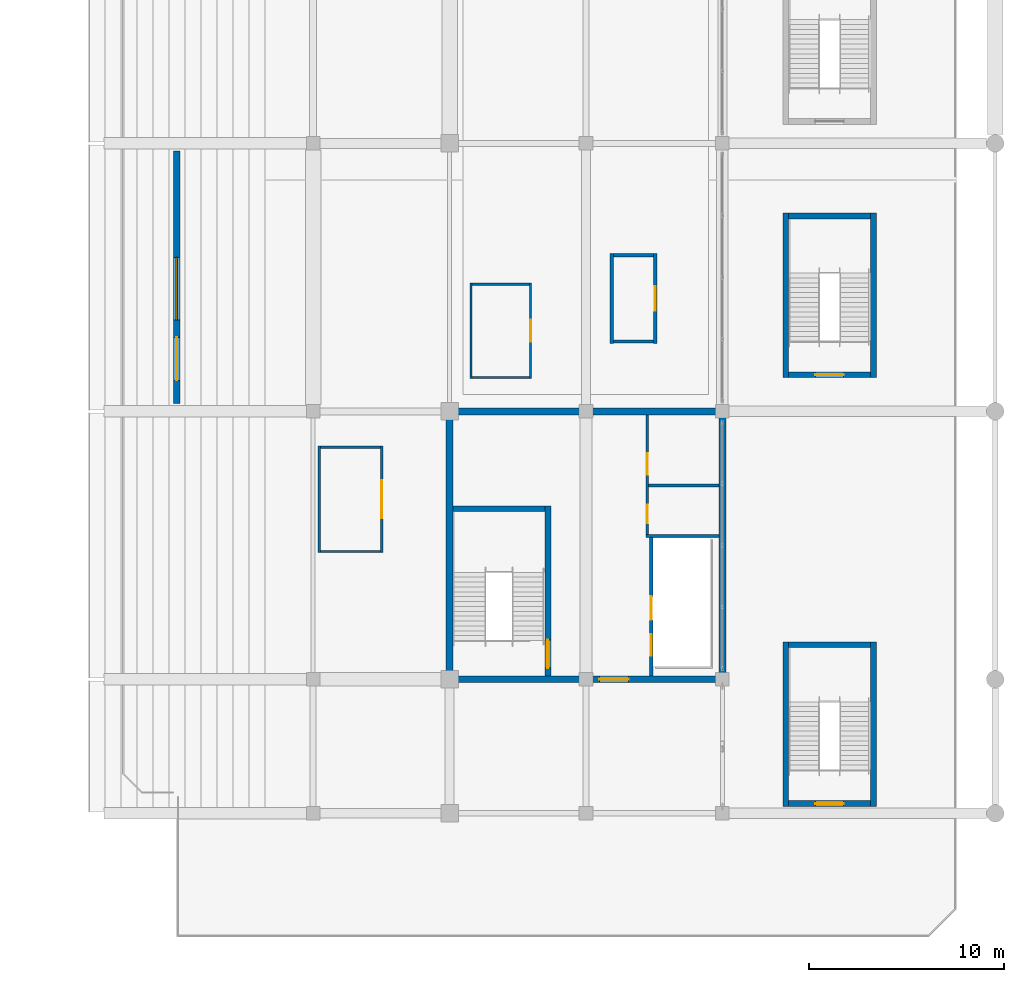
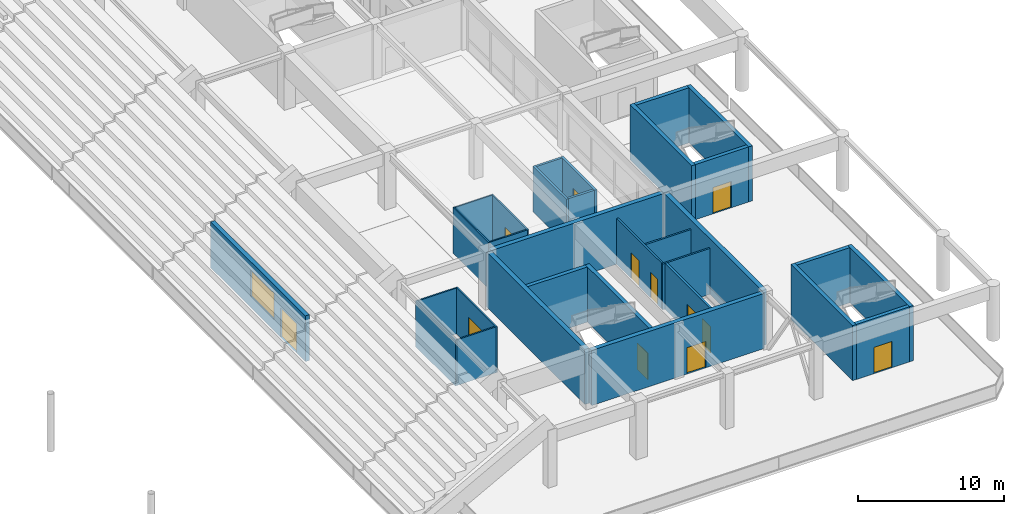
# One storey, part 73 of 94: 31 walls, 12 doors, 1 window, 13 openings.
"""IFC4 building model written with IfcOpenShell, lengths in metres."""

from ifc_helpers import new_model, si_unit, direction, frame, frame_2d, origin, place, context, subcontext, project, spatial, rectangle, extrude, material, layer, layer_set, type_object, element, fill, save


model = new_model("IFC4")

# Units and contexts
model_context = context("Model", 3, precision=1e-05, world=origin(), true_north=direction((0.0, 1.0)))
body_context = subcontext(model_context, "Body", "Model", "MODEL_VIEW")
ifc_project = project(units=[si_unit("LENGTHUNIT", "METRE"), si_unit("AREAUNIT", "SQUARE_METRE"), si_unit("VOLUMEUNIT", "CUBIC_METRE"), si_unit("PLANEANGLEUNIT", "RADIAN"), si_unit("MASSUNIT", "GRAM", prefix="KILO")], contexts=[model_context])

# Site, building, storey
site_placement = place(None, origin())
site = spatial("IfcSite", under=ifc_project, at=site_placement, CompositionType="ELEMENT")
building_placement = place(site_placement, origin())
building = spatial("IfcBuilding", under=site, at=building_placement, Name="Linyun Crest Stadium", CompositionType="ELEMENT")
storey_placement = place(building_placement, frame((0.0, 0.0, 16.199951171875)))
storey = spatial("IfcBuildingStorey", under=building, at=storey_placement, Name="L04", CompositionType="ELEMENT", Elevation=16.199951171875)

# Walls
ifc_material_1 = material(Name="Concrete C50", Category="concrete")
ifc_layer_1 = layer(ifc_material_1, 0.35009765625)
ifc_layer_set_1 = layer_set([ifc_layer_1], Name="Concrete C50")
wall_type_1 = type_object("IfcWallType", Name="CW01", PredefinedType="SHEAR", material=ifc_layer_set_1)
for number, where, z_axis, x_axis, name in (
    (1, (70.0, -38.949951171875, 0.0), (0.0, 0.0, 1.0), (0.0, 1.0, 0.0), "Core shear wall CW01 CORE-E1 L04.1"),
    (2, (84.0, -38.949951171875, 0.0), (0.0, 0.0, 1.0), (0.0, 1.0, 0.0), "Core shear wall CW01 CORE-E1 L04.2"),
):
    element("IfcWall", number, at=place(storey_placement, frame(where, z_axis=z_axis, x_axis=x_axis)), inside=storey, type_object=wall_type_1, Name=name, PredefinedType="SHEAR", context=body_context, shape_type="SweptSolid", body=[
        extrude(rectangle(XDim=13.39990234375, YDim=0.35009765625, at=frame_2d((6.699951171875, 0.0))), origin(), (0.0, 0.0, 1.0), 4.60009765625),
    ])

# Wall, opening, door
wall_1_placement = place(storey_placement, frame((70.175048828125, -39.125, 0.0), z_axis=(0.0, 0.0, 1.0), x_axis=(1.0, 0.0, 0.0)))
wall_1 = element("IfcWall", 3, at=wall_1_placement, inside=storey, type_object=wall_type_1, Name="Core shear wall CW01 CORE-E1 L04.3", PredefinedType="SHEAR", context=body_context, shape_type="SweptSolid", body=[
    extrude(rectangle(XDim=13.64990234375, YDim=0.35009765625, at=frame_2d((6.824951171875, 0.0))), origin(), (0.0, 0.0, 1.0), 4.60009765625),
])
opening_1_placement = place(wall_1_placement, frame((7.508056640625, 0.0, 0.0)))
opening_1 = element("IfcOpeningElement", 4, at=opening_1_placement, cuts=wall_1, Name="Opening D-L04-172", PredefinedType="OPENING", context=body_context, shape_type="SweptSolid", body=[
    extrude(rectangle(XDim=1.5, YDim=2.199951171875, at=frame_2d((0.75, 1.10009765625))), frame((0.0, 0.18505859375, 0.0), z_axis=(0.0, -1.0, 0.0), x_axis=(1.0, 0.0, 0.0)), (0.0, 0.0, 1.0), 0.3701171875),
])
ifc_material_2 = material(Name="Galvanized steel Class A fire door", Category="steel")
ifc_layer_2 = layer(ifc_material_2, 0.054931640625)
ifc_layer_set_2 = layer_set([ifc_layer_2], Name="Galvanized steel Class A fire door")
door_type_1 = type_object("IfcDoorType", Name="FD01", OperationType="NOTDEFINED", PredefinedType="DOOR", material=ifc_layer_set_2)
door_1_placement = place(opening_1_placement, origin())
door_1 = element("IfcDoor", 5, at=door_1_placement, inside=storey, type_object=door_type_1, Name="Door D-L04-172", OperationType="SINGLE_SWING_RIGHT", OverallHeight=2.199951171875, OverallWidth=1.5, PredefinedType="DOOR", context=body_context, shape_type="SweptSolid", body=[
    extrude(rectangle(XDim=1.5, YDim=2.199951171875, at=frame_2d((0.75, 1.10009765625))), frame((0.0, 0.02490234375, 0.0), z_axis=(0.0, -1.0, 0.0), x_axis=(1.0, 0.0, 0.0)), (0.0, 0.0, 1.0), 0.050048828125),
])
fill(opening_1, door_1)

# Wall
wall_2_placement = place(storey_placement, frame((70.175048828125, -25.375, 0.0), z_axis=(0.0, 0.0, 1.0), x_axis=(1.0, 0.0, 0.0)))
element("IfcWall", 6, at=wall_2_placement, inside=storey, type_object=wall_type_1, Name="Core shear wall CW01 CORE-E1 L04.4", PredefinedType="SHEAR", context=body_context, shape_type="SweptSolid", body=[
    extrude(rectangle(XDim=13.64990234375, YDim=0.35009765625, at=frame_2d((6.824951171875, 0.0))), origin(), (0.0, 0.0, 1.0), 4.60009765625),
])

# Wall, openings, door, window
ifc_material_3 = material(Name="Precast concrete C40 insulated facade panel", Category="concrete")
ifc_layer_3 = layer(ifc_material_3, 0.330078125)
ifc_layer_set_3 = layer_set([ifc_layer_3], Name="Precast concrete C40 insulated facade panel")
wall_type_2 = type_object("IfcWallType", Name="EW05", PredefinedType="SOLIDWALL", material=ifc_layer_set_3)
wall_3_placement = place(storey_placement, frame((56.0, -24.97998046875, 0.0), z_axis=(0.0, 0.0, 1.0), x_axis=(0.0, 1.0, 0.0)))
wall_3 = element("IfcWall", 7, at=wall_3_placement, inside=storey, type_object=wall_type_2, Name="Exterior wall EW05 L04 68", PredefinedType="SOLIDWALL", context=body_context, shape_type="SweptSolid", body=[
    extrude(rectangle(XDim=12.9599609375, YDim=0.330078125, at=frame_2d((6.47998046875, 0.0))), origin(), (0.0, 0.0, 1.0), 3.820068359375),
])
opening_2_placement = place(wall_3_placement, frame((1.199951171875, 0.0, 0.0)))
opening_2 = element("IfcOpeningElement", 8, at=opening_2_placement, cuts=wall_3, Name="Opening BD-L04-07", PredefinedType="OPENING", context=body_context, shape_type="SweptSolid", body=[
    extrude(rectangle(XDim=2.199951171875, YDim=2.449951171875, at=frame_2d((1.10009765625, 1.22509765625))), frame((0.0, 0.175048828125, 0.0), z_axis=(0.0, -1.0, 0.0), x_axis=(1.0, 0.0, 0.0)), (0.0, 0.0, 1.0), 0.35009765625),
])
opening_3_placement = place(wall_3_placement, frame((4.300048828125, 0.0, 0.89990234375)))
opening_3 = element("IfcOpeningElement", 9, at=opening_3_placement, cuts=wall_3, Name="Opening WN10", PredefinedType="OPENING", context=body_context, shape_type="SweptSolid", body=[
    extrude(rectangle(XDim=3.199951171875, YDim=2.199951171875, at=frame_2d((1.60009765625, 1.10009765625))), frame((0.0, 0.175048828125, 0.0), z_axis=(0.0, -1.0, 0.0), x_axis=(1.0, 0.0, 0.0)), (0.0, 0.0, 1.0), 0.35009765625),
])
ifc_material_4 = material(Name="Thermally broken aluminium and low-E glass", Category="aluminium")
ifc_layer_4 = layer(ifc_material_4, 0.054931640625)
ifc_layer_set_4 = layer_set([ifc_layer_4], Name="Thermally broken aluminium and low-E glass")
door_type_2 = type_object("IfcDoorType", Name="BD03", OperationType="NOTDEFINED", PredefinedType="DOOR", material=ifc_layer_set_4)
door_2_placement = place(opening_2_placement, origin())
door_2 = element("IfcDoor", 10, at=door_2_placement, inside=storey, type_object=door_type_2, Name="Terrace door BD-L04-07", OperationType="SINGLE_SWING_LEFT", OverallHeight=2.449951171875, OverallWidth=2.199951171875, PredefinedType="DOOR", context=body_context, shape_type="SweptSolid", body=[
    extrude(rectangle(XDim=2.199951171875, YDim=2.449951171875, at=frame_2d((1.10009765625, 1.22509765625))), frame((0.0, 0.02490234375, 0.0), z_axis=(0.0, -1.0, 0.0), x_axis=(1.0, 0.0, 0.0)), (0.0, 0.0, 1.0), 0.050048828125),
])
fill(opening_2, door_2)
ifc_material_5 = material(Name="Hospitality panoramic low-E vision window")
ifc_layer_5 = layer(ifc_material_5, 0.06494140625)
ifc_layer_set_5 = layer_set([ifc_layer_5], Name="Hospitality panoramic low-E vision window")
window_type = type_object("IfcWindowType", Name="WN10", PartitioningType="SINGLE_PANEL", PredefinedType="WINDOW", material=ifc_layer_set_5)
window_placement = place(opening_3_placement, origin())
window = element("IfcWindow", 11, at=window_placement, inside=storey, type_object=window_type, Name="Window WN10 L04 43", OverallHeight=2.199951171875, OverallWidth=3.199951171875, PartitioningType="SINGLE_PANEL", PredefinedType="WINDOW", context=body_context, shape_type="SweptSolid", body=[
    extrude(rectangle(XDim=3.199951171875, YDim=2.199951171875, at=frame_2d((1.60009765625, 1.10009765625))), frame((0.0, 0.030029296875, 0.0), z_axis=(0.0, -1.0, 0.0), x_axis=(1.0, 0.0, 0.0)), (0.0, 0.0, 1.0), 0.06005859375),
])
fill(opening_3, window)

# Wall, openings, doors
ifc_material_6 = material(Name="Autoclaved aerated concrete block fire partition", Category="concrete")
ifc_layer_6 = layer(ifc_material_6, 0.179931640625)
ifc_layer_set_6 = layer_set([ifc_layer_6], Name="Autoclaved aerated concrete block fire partition")
wall_type_3 = type_object("IfcWallType", Name="PW12", PredefinedType="PARTITIONING", material=ifc_layer_set_6)
wall_4_placement = place(storey_placement, frame((80.35009765625, -38.949951171875, 0.0), z_axis=(0.0, 0.0, 1.0), x_axis=(0.0, 1.0, 0.0)))
wall_4 = element("IfcWall", 12, at=wall_4_placement, inside=storey, type_object=wall_type_3, Name="Partition PW12 L04 65", PredefinedType="PARTITIONING", context=body_context, shape_type="SweptSolid", body=[
    extrude(rectangle(XDim=7.10498046875, YDim=0.179931640625, at=frame_2d((3.552490234375, 0.0))), origin(), (0.0, 0.0, 1.0), 3.820068359375),
])
opening_4_placement = place(wall_4_placement, frame((1.02490234375, 0.0, 0.0)))
opening_4 = element("IfcOpeningElement", 13, at=opening_4_placement, cuts=wall_4, Name="Opening LD057", PredefinedType="OPENING", context=body_context, shape_type="SweptSolid", body=[
    extrude(rectangle(XDim=1.10009765625, YDim=2.199951171875, at=frame_2d((0.550048828125, 1.10009765625))), frame((0.0, 0.099853515625, 0.0), z_axis=(0.0, -1.0, 0.0), x_axis=(1.0, 0.0, 0.0)), (0.0, 0.0, 1.0), 0.199951171875),
])
opening_5_placement = place(wall_4_placement, frame((2.875, 0.0, 0.0)))
opening_5 = element("IfcOpeningElement", 14, at=opening_5_placement, cuts=wall_4, Name="Opening LD058", PredefinedType="OPENING", context=body_context, shape_type="SweptSolid", body=[
    extrude(rectangle(XDim=1.199951171875, YDim=2.25, at=frame_2d((0.60009765625, 1.125))), frame((0.0, 0.099853515625, 0.0), z_axis=(0.0, -1.0, 0.0), x_axis=(1.0, 0.0, 0.0)), (0.0, 0.0, 1.0), 0.199951171875),
])
ifc_material_7 = material(Name="Brushed stainless sliding lift door")
ifc_layer_7 = layer(ifc_material_7, 0.050048828125)
ifc_layer_set_7 = layer_set([ifc_layer_7], Name="Brushed stainless sliding lift door")
door_type_3 = type_object("IfcDoorType", Name="LD01", OperationType="NOTDEFINED", PredefinedType="DOOR", material=ifc_layer_set_7)
door_3_placement = place(opening_4_placement, origin())
door_3 = element("IfcDoor", 15, at=door_3_placement, inside=storey, type_object=door_type_3, Name="Lift landing door LD057", OperationType="DOUBLE_DOOR_SLIDING", OverallHeight=2.199951171875, OverallWidth=1.10009765625, PredefinedType="DOOR", context=body_context, shape_type="SweptSolid", body=[
    extrude(rectangle(XDim=1.10009765625, YDim=2.199951171875, at=frame_2d((0.550048828125, 1.10009765625))), frame((0.0, 0.02490234375, 0.0), z_axis=(0.0, -1.0, 0.0), x_axis=(1.0, 0.0, 0.0)), (0.0, 0.0, 1.0), 0.050048828125),
])
fill(opening_4, door_3)
ifc_material_8 = material(Name="Brushed stainless sliding lift door")
ifc_layer_8 = layer(ifc_material_8, 0.050048828125)
ifc_layer_set_8 = layer_set([ifc_layer_8], Name="Brushed stainless sliding lift door")
door_type_4 = type_object("IfcDoorType", Name="LD02", OperationType="NOTDEFINED", PredefinedType="DOOR", material=ifc_layer_set_8)
door_4_placement = place(opening_5_placement, origin())
door_4 = element("IfcDoor", 16, at=door_4_placement, inside=storey, type_object=door_type_4, Name="Lift landing door LD058", OperationType="DOUBLE_DOOR_SLIDING", OverallHeight=2.25, OverallWidth=1.199951171875, PredefinedType="DOOR", context=body_context, shape_type="SweptSolid", body=[
    extrude(rectangle(XDim=1.199951171875, YDim=2.25, at=frame_2d((0.60009765625, 1.125))), frame((0.0, 0.02490234375, 0.0), z_axis=(0.0, -1.0, 0.0), x_axis=(1.0, 0.0, 0.0)), (0.0, 0.0, 1.0), 0.050048828125),
])
fill(opening_5, door_4)

ifc_material_9 = material(Name="Moisture-resistant ceramic-tiled wet-room wall")
ifc_layer_9 = layer(ifc_material_9, 0.139892578125)
ifc_layer_set_9 = layer_set([ifc_layer_9], Name="Moisture-resistant ceramic-tiled wet-room wall")
wall_type_4 = type_object("IfcWallType", Name="PW15", PredefinedType="PARTITIONING", material=ifc_layer_set_9)
wall_5_placement = place(storey_placement, frame((80.14990234375, -31.705078125, 0.0), z_axis=(0.0, 0.0, 1.0), x_axis=(0.0, 1.0, 0.0)))
wall_5 = element("IfcWall", 17, at=wall_5_placement, inside=storey, type_object=wall_type_4, Name="Partition PW15 L04 66", PredefinedType="PARTITIONING", context=body_context, shape_type="SweptSolid", body=[
    extrude(rectangle(XDim=6.155029296875, YDim=0.139892578125, at=frame_2d((3.07763671875, 0.0))), origin(), (0.0, 0.0, 1.0), 3.820068359375),
])
opening_6_placement = place(wall_5_placement, frame((0.580078125, 0.0, 0.0)))
opening_6 = element("IfcOpeningElement", 18, at=opening_6_placement, cuts=wall_5, Name="Opening D-L04-176", PredefinedType="OPENING", context=body_context, shape_type="SweptSolid", body=[
    extrude(rectangle(XDim=0.949951171875, YDim=2.14990234375, at=frame_2d((0.47509765625, 1.074951171875))), frame((0.0, 0.079833984375, 0.0), z_axis=(0.0, -1.0, 0.0), x_axis=(1.0, 0.0, 0.0)), (0.0, 0.0, 1.0), 0.159912109375),
])
opening_7_placement = place(wall_5_placement, frame((3.080078125, 0.0, 0.0)))
opening_7 = element("IfcOpeningElement", 19, at=opening_7_placement, cuts=wall_5, Name="Opening D-L04-177", PredefinedType="OPENING", context=body_context, shape_type="SweptSolid", body=[
    extrude(rectangle(XDim=1.10009765625, YDim=2.14990234375, at=frame_2d((0.550048828125, 1.074951171875))), frame((0.0, 0.079833984375, 0.0), z_axis=(0.0, -1.0, 0.0), x_axis=(1.0, 0.0, 0.0)), (0.0, 0.0, 1.0), 0.159912109375),
])
ifc_material_10 = material(Name="Moisture-resistant laminate leaf")
ifc_layer_10 = layer(ifc_material_10, 0.044921875)
ifc_layer_set_10 = layer_set([ifc_layer_10], Name="Moisture-resistant laminate leaf")
door_type_5 = type_object("IfcDoorType", Name="ID02", OperationType="NOTDEFINED", PredefinedType="DOOR", material=ifc_layer_set_10)
door_5_placement = place(opening_6_placement, origin())
door_5 = element("IfcDoor", 20, at=door_5_placement, inside=storey, type_object=door_type_5, Name="Door D-L04-176", OperationType="SINGLE_SWING_RIGHT", OverallHeight=2.14990234375, OverallWidth=0.949951171875, PredefinedType="DOOR", context=body_context, shape_type="SweptSolid", body=[
    extrude(rectangle(XDim=0.949951171875, YDim=2.14990234375, at=frame_2d((0.47509765625, 1.074951171875))), frame((0.0, 0.02490234375, 0.0), z_axis=(0.0, -1.0, 0.0), x_axis=(1.0, 0.0, 0.0)), (0.0, 0.0, 1.0), 0.050048828125),
])
fill(opening_6, door_5)
ifc_material_11 = material(Name="Moisture-resistant laminate leaf")
ifc_layer_11 = layer(ifc_material_11, 0.044921875)
ifc_layer_set_11 = layer_set([ifc_layer_11], Name="Moisture-resistant laminate leaf")
door_type_6 = type_object("IfcDoorType", Name="ID03", OperationType="NOTDEFINED", PredefinedType="DOOR", material=ifc_layer_set_11)
door_6_placement = place(opening_7_placement, origin())
door_6 = element("IfcDoor", 21, at=door_6_placement, inside=storey, type_object=door_type_6, Name="Door D-L04-177", OperationType="SINGLE_SWING_LEFT", OverallHeight=2.14990234375, OverallWidth=1.10009765625, PredefinedType="DOOR", context=body_context, shape_type="SweptSolid", body=[
    extrude(rectangle(XDim=1.10009765625, YDim=2.14990234375, at=frame_2d((0.550048828125, 1.074951171875))), frame((0.0, 0.02490234375, 0.0), z_axis=(0.0, -1.0, 0.0), x_axis=(1.0, 0.0, 0.0)), (0.0, 0.0, 1.0), 0.050048828125),
])
fill(opening_7, door_6)

# Walls
wall_6_placement = place(storey_placement, frame((80.080078125, -31.77490234375, 0.0), z_axis=(0.0, 0.0, 1.0), x_axis=(1.0, 0.0, 0.0)))
element("IfcWall", 22, at=wall_6_placement, inside=storey, type_object=wall_type_4, Name="Enclosure partition PW15 L04 51", PredefinedType="PARTITIONING", context=body_context, shape_type="SweptSolid", body=[
    extrude(rectangle(XDim=3.744873046875, YDim=0.139892578125, at=frame_2d((1.87255859375, 0.0))), origin(), (0.0, 0.0, 1.0), 3.820068359375),
])
wall_7_placement = place(storey_placement, frame((80.219970703125, -29.175048828125, 0.0), z_axis=(0.0, 0.0, 1.0), x_axis=(1.0, 0.0, 0.0)))
element("IfcWall", 23, at=wall_7_placement, inside=storey, type_object=wall_type_4, Name="Enclosure partition PW15 L04 52", PredefinedType="PARTITIONING", context=body_context, shape_type="SweptSolid", body=[
    extrude(rectangle(XDim=3.60498046875, YDim=0.139892578125, at=frame_2d((1.802490234375, 0.0))), origin(), (0.0, 0.0, 1.0), 3.820068359375),
])

# Wall, opening, door
ifc_material_12 = material(Name="Lightweight demountable office partition")
ifc_layer_12 = layer(ifc_material_12, 0.110107421875)
ifc_layer_set_12 = layer_set([ifc_layer_12], Name="Lightweight demountable office partition")
wall_type_5 = type_object("IfcWallType", Name="PW18", PredefinedType="PARTITIONING", material=ifc_layer_set_12)
wall_8_placement = place(storey_placement, frame((74.156982421875, -18.7958984375, 0.0), z_axis=(0.0, 0.0, 1.0), x_axis=(0.0, -1.0, 0.0)))
wall_8 = element("IfcWall", 24, at=wall_8_placement, inside=storey, type_object=wall_type_5, Name="Partition PW18 L04 219", PredefinedType="PARTITIONING", context=body_context, shape_type="SweptSolid", body=[
    extrude(rectangle(XDim=4.89013671875, YDim=0.110107421875, at=frame_2d((2.445068359375, 0.0))), origin(), (0.0, 0.0, 1.0), 3.820068359375),
])
opening_8_placement = place(wall_8_placement, frame((1.8701171875, 0.0, 0.0)))
opening_8 = element("IfcOpeningElement", 25, at=opening_8_placement, cuts=wall_8, Name="Opening D-L04-482", PredefinedType="OPENING", context=body_context, shape_type="SweptSolid", body=[
    extrude(rectangle(XDim=1.14990234375, YDim=2.199951171875, at=frame_2d((0.574951171875, 1.10009765625))), frame((0.0, 0.06494140625, 0.0), z_axis=(0.0, -1.0, 0.0), x_axis=(1.0, 0.0, 0.0)), (0.0, 0.0, 1.0), 0.130126953125),
])
ifc_material_13 = material(Name="Solid timber acoustic door", Category="wood")
ifc_layer_13 = layer(ifc_material_13, 0.050048828125)
ifc_layer_set_13 = layer_set([ifc_layer_13], Name="Solid timber acoustic door")
door_type_7 = type_object("IfcDoorType", Name="ID15", OperationType="NOTDEFINED", PredefinedType="DOOR", material=ifc_layer_set_13)
door_7_placement = place(opening_8_placement, origin())
door_7 = element("IfcDoor", 26, at=door_7_placement, inside=storey, type_object=door_type_7, Name="Door D-L04-482", OperationType="SINGLE_SWING_RIGHT", OverallHeight=2.199951171875, OverallWidth=1.14990234375, PredefinedType="DOOR", context=body_context, shape_type="SweptSolid", body=[
    extrude(rectangle(XDim=1.14990234375, YDim=2.199951171875, at=frame_2d((0.574951171875, 1.10009765625))), frame((0.0, 0.02490234375, 0.0), z_axis=(0.0, -1.0, 0.0), x_axis=(1.0, 0.0, 0.0)), (0.0, 0.0, 1.0), 0.050048828125),
])
fill(opening_8, door_7)

# Walls
wall_9_placement = place(storey_placement, frame((71.096923828125, -23.68603515625, 0.0), z_axis=(0.0, 0.0, 1.0), x_axis=(0.0, 1.0, 0.0)))
element("IfcWall", 27, at=wall_9_placement, inside=storey, type_object=wall_type_5, Name="Enclosure partition PW18 L04 373", PredefinedType="PARTITIONING", context=body_context, shape_type="SweptSolid", body=[
    extrude(rectangle(XDim=4.89013671875, YDim=0.110107421875, at=frame_2d((2.445068359375, 0.0))), origin(), (0.0, 0.0, 1.0), 3.820068359375),
])
for number, where, z_axis, x_axis, name in (
    (28, (71.152099609375, -23.631103515625, 0.0), (0.0, 0.0, 1.0), (1.0, 0.0, 0.0), "Enclosure partition PW18 L04 374"),
    (29, (71.152099609375, -18.85107421875, 0.0), (0.0, 0.0, 1.0), (1.0, 0.0, 0.0), "Enclosure partition PW18 L04 375"),
):
    element("IfcWall", number, at=place(storey_placement, frame(where, z_axis=z_axis, x_axis=x_axis)), inside=storey, type_object=wall_type_5, Name=name, PredefinedType="PARTITIONING", context=body_context, shape_type="SweptSolid", body=[
        extrude(rectangle(XDim=2.949951171875, YDim=0.110107421875, at=frame_2d((1.47509765625, 0.0))), origin(), (0.0, 0.0, 1.0), 3.820068359375),
    ])

# Wall, opening, door
ifc_material_14 = material(Name="Glazed hospitality salon screen partition")
ifc_layer_14 = layer(ifc_material_14, 0.114990234375)
ifc_layer_set_14 = layer_set([ifc_layer_14], Name="Glazed hospitality salon screen partition")
wall_type_6 = type_object("IfcWallType", Name="PW21", PredefinedType="PARTITIONING", material=ifc_layer_set_14)
wall_10_placement = place(storey_placement, frame((66.51708984375, -27.156005859375, 0.0), z_axis=(0.0, 0.0, 1.0), x_axis=(0.0, -1.0, 0.0)))
wall_10 = element("IfcWall", 30, at=wall_10_placement, inside=storey, type_object=wall_type_6, Name="Partition PW21 L04 221", PredefinedType="PARTITIONING", context=body_context, shape_type="SweptSolid", body=[
    extrude(rectangle(XDim=5.469970703125, YDim=0.114990234375, at=frame_2d((2.73486328125, 0.0))), origin(), (0.0, 0.0, 1.0), 3.820068359375),
])
opening_9_placement = place(wall_10_placement, frame((1.760009765625, 0.0, 0.0)))
opening_9 = element("IfcOpeningElement", 31, at=opening_9_placement, cuts=wall_10, Name="Opening D-L04-484", PredefinedType="OPENING", context=body_context, shape_type="SweptSolid", body=[
    extrude(rectangle(XDim=1.949951171875, YDim=2.35009765625, at=frame_2d((0.97509765625, 1.175048828125))), frame((0.0, 0.0673828125, 0.0), z_axis=(0.0, -1.0, 0.0), x_axis=(1.0, 0.0, 0.0)), (0.0, 0.0, 1.0), 0.135009765625),
])
ifc_material_15 = material(Name="Arched glazed cafe double door")
ifc_layer_15 = layer(ifc_material_15, 0.054931640625)
ifc_layer_set_15 = layer_set([ifc_layer_15], Name="Arched glazed cafe double door")
door_type_8 = type_object("IfcDoorType", Name="ID17", OperationType="NOTDEFINED", PredefinedType="DOOR", material=ifc_layer_set_15)
door_8_placement = place(opening_9_placement, origin())
door_8 = element("IfcDoor", 32, at=door_8_placement, inside=storey, type_object=door_type_8, Name="Door D-L04-484", OperationType="DOUBLE_DOOR_SINGLE_SWING", OverallHeight=2.35009765625, OverallWidth=1.949951171875, PredefinedType="DOOR", context=body_context, shape_type="SweptSolid", body=[
    extrude(rectangle(XDim=1.949951171875, YDim=2.35009765625, at=frame_2d((0.97509765625, 1.175048828125))), frame((0.0, 0.02490234375, 0.0), z_axis=(0.0, -1.0, 0.0), x_axis=(1.0, 0.0, 0.0)), (0.0, 0.0, 1.0), 0.050048828125),
])
fill(opening_9, door_8)

# Walls
wall_11_placement = place(storey_placement, frame((63.31689453125, -32.6259765625, 0.0), z_axis=(0.0, 0.0, 1.0), x_axis=(0.0, 1.0, 0.0)))
element("IfcWall", 33, at=wall_11_placement, inside=storey, type_object=wall_type_6, Name="Enclosure partition PW21 L04 379", PredefinedType="PARTITIONING", context=body_context, shape_type="SweptSolid", body=[
    extrude(rectangle(XDim=5.469970703125, YDim=0.114990234375, at=frame_2d((2.73486328125, 0.0))), origin(), (0.0, 0.0, 1.0), 3.820068359375),
])
for number, where, z_axis, x_axis, name in (
    (34, (63.375, -32.568115234375, 0.0), (0.0, 0.0, 1.0), (1.0, 0.0, 0.0), "Enclosure partition PW21 L04 380"),
    (35, (63.375, -27.214111328125, 0.0), (0.0, 0.0, 1.0), (1.0, 0.0, 0.0), "Enclosure partition PW21 L04 381"),
):
    element("IfcWall", number, at=place(storey_placement, frame(where, z_axis=z_axis, x_axis=x_axis)), inside=storey, type_object=wall_type_6, Name=name, PredefinedType="PARTITIONING", context=body_context, shape_type="SweptSolid", body=[
        extrude(rectangle(XDim=3.083984375, YDim=0.114990234375, at=frame_2d((1.5419921875, 0.0))), origin(), (0.0, 0.0, 1.0), 3.820068359375),
    ])

# Wall, opening, door
ifc_material_16 = material(Name="Concourse concession fire-rated masonry wall", Category="masonry")
ifc_layer_16 = layer(ifc_material_16, 0.175048828125)
ifc_layer_set_16 = layer_set([ifc_layer_16], Name="Concourse concession fire-rated masonry wall")
wall_type_7 = type_object("IfcWallType", Name="PW24", PredefinedType="PARTITIONING", material=ifc_layer_set_16)
wall_12_placement = place(storey_placement, frame((80.548095703125, -17.281005859375, 0.0), z_axis=(0.0, 0.0, 1.0), x_axis=(0.0, -1.0, 0.0)))
wall_12 = element("IfcWall", 36, at=wall_12_placement, inside=storey, type_object=wall_type_7, Name="Partition PW24 L04 260", PredefinedType="PARTITIONING", context=body_context, shape_type="SweptSolid", body=[
    extrude(rectangle(XDim=4.60009765625, YDim=0.175048828125, at=frame_2d((2.300048828125, 0.0))), origin(), (0.0, 0.0, 1.0), 3.820068359375),
])
opening_10_placement = place(wall_12_placement, frame((1.675048828125, 0.0, 0.0)))
opening_10 = element("IfcOpeningElement", 37, at=opening_10_placement, cuts=wall_12, Name="Opening D-L04-523", PredefinedType="OPENING", context=body_context, shape_type="SweptSolid", body=[
    extrude(rectangle(XDim=1.25, YDim=2.199951171875, at=frame_2d((0.625, 1.10009765625))), frame((0.0, 0.097412109375, 0.0), z_axis=(0.0, -1.0, 0.0), x_axis=(1.0, 0.0, 0.0)), (0.0, 0.0, 1.0), 0.195068359375),
])
ifc_material_17 = material(Name="Solid-core timber acoustic door", Category="wood")
ifc_layer_17 = layer(ifc_material_17, 0.050048828125)
ifc_layer_set_17 = layer_set([ifc_layer_17], Name="Solid-core timber acoustic door")
door_type_9 = type_object("IfcDoorType", Name="ID04", OperationType="NOTDEFINED", PredefinedType="DOOR", material=ifc_layer_set_17)
door_9_placement = place(opening_10_placement, origin())
door_9 = element("IfcDoor", 38, at=door_9_placement, inside=storey, type_object=door_type_9, Name="Door D-L04-523", OperationType="SINGLE_SWING_LEFT", OverallHeight=2.199951171875, OverallWidth=1.25, PredefinedType="DOOR", context=body_context, shape_type="SweptSolid", body=[
    extrude(rectangle(XDim=1.25, YDim=2.199951171875, at=frame_2d((0.625, 1.10009765625))), frame((0.0, 0.02490234375, 0.0), z_axis=(0.0, -1.0, 0.0), x_axis=(1.0, 0.0, 0.0)), (0.0, 0.0, 1.0), 0.050048828125),
])
fill(opening_10, door_9)

# Walls
wall_13_placement = place(storey_placement, frame((78.327880859375, -21.881103515625, 0.0), z_axis=(0.0, 0.0, 1.0), x_axis=(0.0, 1.0, 0.0)))
element("IfcWall", 39, at=wall_13_placement, inside=storey, type_object=wall_type_7, Name="Enclosure partition PW24 L04 496", PredefinedType="PARTITIONING", context=body_context, shape_type="SweptSolid", body=[
    extrude(rectangle(XDim=4.60009765625, YDim=0.175048828125, at=frame_2d((2.300048828125, 0.0))), origin(), (0.0, 0.0, 1.0), 3.820068359375),
])
for number, where, z_axis, x_axis, name in (
    (40, (78.416015625, -21.79296875, 0.0), (0.0, 0.0, 1.0), (1.0, 0.0, 0.0), "Enclosure partition PW24 L04 497"),
    (41, (78.416015625, -17.368896484375, 0.0), (0.0, 0.0, 1.0), (1.0, 0.0, 0.0), "Enclosure partition PW24 L04 498"),
):
    element("IfcWall", number, at=place(storey_placement, frame(where, z_axis=z_axis, x_axis=x_axis)), inside=storey, type_object=wall_type_7, Name=name, PredefinedType="PARTITIONING", context=body_context, shape_type="SweptSolid", body=[
        extrude(rectangle(XDim=2.0439453125, YDim=0.175048828125, at=frame_2d((1.02197265625, 0.0))), origin(), (0.0, 0.0, 1.0), 3.820068359375),
    ])

# Wall, opening, door
ifc_material_18 = material(Name="Concrete C50", Category="concrete")
ifc_layer_18 = layer(ifc_material_18, 0.300048828125)
ifc_layer_set_18 = layer_set([ifc_layer_18], Name="Concrete C50")
wall_type_8 = type_object("IfcWallType", Name="SW01", PredefinedType="SHEAR", material=ifc_layer_set_18)
wall_14_placement = place(storey_placement, frame((75.050048828125, -38.949951171875, 0.0), z_axis=(0.0, 0.0, 1.0), x_axis=(0.0, 1.0, 0.0)))
wall_14 = element("IfcWall", 42, at=wall_14_placement, inside=storey, type_object=wall_type_8, Name="Core stair east bearing wall SW01 4 L04", PredefinedType="SHEAR", context=body_context, shape_type="SweptSolid", body=[
    extrude(rectangle(XDim=8.724853515625, YDim=0.300048828125, at=frame_2d((4.3623046875, 0.0))), origin(), (0.0, 0.0, 1.0), 4.60009765625),
])
opening_11_placement = place(wall_14_placement, frame((0.39501953125, 0.0, 0.0)))
opening_11 = element("IfcOpeningElement", 43, at=opening_11_placement, cuts=wall_14, Name="Opening D-L04-173", PredefinedType="OPENING", context=body_context, shape_type="SweptSolid", body=[
    extrude(rectangle(XDim=1.449951171875, YDim=2.199951171875, at=frame_2d((0.72509765625, 1.10009765625))), frame((0.0, 0.159912109375, 0.0), z_axis=(0.0, -1.0, 0.0), x_axis=(1.0, 0.0, 0.0)), (0.0, 0.0, 1.0), 0.320068359375),
])
ifc_material_19 = material(Name="Galvanized steel Class A fire door", Category="steel")
ifc_layer_19 = layer(ifc_material_19, 0.054931640625)
ifc_layer_set_19 = layer_set([ifc_layer_19], Name="Galvanized steel Class A fire door")
door_type_10 = type_object("IfcDoorType", Name="FD02", OperationType="NOTDEFINED", PredefinedType="DOOR", material=ifc_layer_set_19)
door_10_placement = place(opening_11_placement, origin())
door_10 = element("IfcDoor", 44, at=door_10_placement, inside=storey, type_object=door_type_10, Name="Door D-L04-173", OperationType="SINGLE_SWING_LEFT", OverallHeight=2.199951171875, OverallWidth=1.449951171875, PredefinedType="DOOR", context=body_context, shape_type="SweptSolid", body=[
    extrude(rectangle(XDim=1.449951171875, YDim=2.199951171875, at=frame_2d((0.72509765625, 1.10009765625))), frame((0.0, 0.02490234375, 0.0), z_axis=(0.0, -1.0, 0.0), x_axis=(1.0, 0.0, 0.0)), (0.0, 0.0, 1.0), 0.050048828125),
])
fill(opening_11, door_10)

# Wall
wall_15_placement = place(storey_placement, frame((70.175048828125, -30.375, 0.0), z_axis=(0.0, 0.0, 1.0), x_axis=(1.0, 0.0, 0.0)))
element("IfcWall", 45, at=wall_15_placement, inside=storey, type_object=wall_type_8, Name="Core stair bearing wall SW01 4 L04", PredefinedType="SHEAR", context=body_context, shape_type="SweptSolid", body=[
    extrude(rectangle(XDim=4.724853515625, YDim=0.300048828125, at=frame_2d((2.3623046875, 0.0))), origin(), (0.0, 0.0, 1.0), 4.60009765625),
])

# Wall, opening, door
wall_16_placement = place(storey_placement, frame((87.39990234375, -45.5, 0.0), z_axis=(0.0, 0.0, 1.0), x_axis=(1.0, 0.0, 0.0)))
wall_16 = element("IfcWall", 46, at=wall_16_placement, inside=storey, type_object=wall_type_8, Name="Stair shaft wall SW01 STR-18 L04 S", PredefinedType="SHEAR", context=body_context, shape_type="SweptSolid", body=[
    extrude(rectangle(XDim=4.2001953125, YDim=0.300048828125, at=frame_2d((2.10009765625, 0.0))), origin(), (0.0, 0.0, 1.0), 4.60009765625),
])
opening_12_placement = place(wall_16_placement, frame((1.375, 0.0, 0.0)))
opening_12 = element("IfcOpeningElement", 47, at=opening_12_placement, cuts=wall_16, Name="Opening D-L04-571", PredefinedType="OPENING", context=body_context, shape_type="SweptSolid", body=[
    extrude(rectangle(XDim=1.449951171875, YDim=2.199951171875, at=frame_2d((0.72509765625, 1.10009765625))), frame((0.0, 0.159912109375, 0.0), z_axis=(0.0, -1.0, 0.0), x_axis=(1.0, 0.0, 0.0)), (0.0, 0.0, 1.0), 0.320068359375),
])
door_11_placement = place(opening_12_placement, origin())
door_11 = element("IfcDoor", 48, at=door_11_placement, inside=storey, type_object=door_type_10, Name="Door D-L04-571", OperationType="SINGLE_SWING_LEFT", OverallHeight=2.199951171875, OverallWidth=1.449951171875, PredefinedType="DOOR", context=body_context, shape_type="SweptSolid", body=[
    extrude(rectangle(XDim=1.449951171875, YDim=2.199951171875, at=frame_2d((0.72509765625, 1.10009765625))), frame((0.0, 0.02490234375, 0.0), z_axis=(0.0, -1.0, 0.0), x_axis=(1.0, 0.0, 0.0)), (0.0, 0.0, 1.0), 0.050048828125),
])
fill(opening_12, door_11)

# Walls
wall_17_placement = place(storey_placement, frame((87.39990234375, -37.35009765625, 0.0), z_axis=(0.0, 0.0, 1.0), x_axis=(1.0, 0.0, 0.0)))
element("IfcWall", 49, at=wall_17_placement, inside=storey, type_object=wall_type_8, Name="Stair shaft wall SW01 STR-18 L04 N", PredefinedType="SHEAR", context=body_context, shape_type="SweptSolid", body=[
    extrude(rectangle(XDim=4.2001953125, YDim=0.300048828125, at=frame_2d((2.10009765625, 0.0))), origin(), (0.0, 0.0, 1.0), 4.60009765625),
])
for number, where, z_axis, x_axis, name in (
    (50, (87.25, -45.64990234375, 0.0), (0.0, 0.0, 1.0), (0.0, 1.0, 0.0), "Stair shaft wall SW01 STR-18 L04 W"),
    (51, (91.75, -45.64990234375, 0.0), (0.0, 0.0, 1.0), (0.0, 1.0, 0.0), "Stair shaft wall SW01 STR-18 L04 E"),
):
    element("IfcWall", number, at=place(storey_placement, frame(where, z_axis=z_axis, x_axis=x_axis)), inside=storey, type_object=wall_type_8, Name=name, PredefinedType="SHEAR", context=body_context, shape_type="SweptSolid", body=[
        extrude(rectangle(XDim=8.449951171875, YDim=0.300048828125, at=frame_2d((4.22509765625, 0.0))), origin(), (0.0, 0.0, 1.0), 4.60009765625),
    ])

# Wall, opening, door
wall_18_placement = place(storey_placement, frame((87.39990234375, -23.5, 0.0), z_axis=(0.0, 0.0, 1.0), x_axis=(1.0, 0.0, 0.0)))
wall_18 = element("IfcWall", 52, at=wall_18_placement, inside=storey, type_object=wall_type_8, Name="Stair shaft wall SW01 STR-19 L04 S", PredefinedType="SHEAR", context=body_context, shape_type="SweptSolid", body=[
    extrude(rectangle(XDim=4.2001953125, YDim=0.300048828125, at=frame_2d((2.10009765625, 0.0))), origin(), (0.0, 0.0, 1.0), 4.60009765625),
])
opening_13_placement = place(wall_18_placement, frame((1.375, 0.0, 0.0)))
opening_13 = element("IfcOpeningElement", 53, at=opening_13_placement, cuts=wall_18, Name="Opening D-L04-576", PredefinedType="OPENING", context=body_context, shape_type="SweptSolid", body=[
    extrude(rectangle(XDim=1.449951171875, YDim=2.199951171875, at=frame_2d((0.72509765625, 1.10009765625))), frame((0.0, 0.159912109375, 0.0), z_axis=(0.0, -1.0, 0.0), x_axis=(1.0, 0.0, 0.0)), (0.0, 0.0, 1.0), 0.320068359375),
])
door_12_placement = place(opening_13_placement, origin())
door_12 = element("IfcDoor", 54, at=door_12_placement, inside=storey, type_object=door_type_10, Name="Door D-L04-576", OperationType="SINGLE_SWING_RIGHT", OverallHeight=2.199951171875, OverallWidth=1.449951171875, PredefinedType="DOOR", context=body_context, shape_type="SweptSolid", body=[
    extrude(rectangle(XDim=1.449951171875, YDim=2.199951171875, at=frame_2d((0.72509765625, 1.10009765625))), frame((0.0, 0.02490234375, 0.0), z_axis=(0.0, -1.0, 0.0), x_axis=(1.0, 0.0, 0.0)), (0.0, 0.0, 1.0), 0.050048828125),
])
fill(opening_13, door_12)

# Walls
wall_19_placement = place(storey_placement, frame((87.39990234375, -15.35009765625, 0.0), z_axis=(0.0, 0.0, 1.0), x_axis=(1.0, 0.0, 0.0)))
element("IfcWall", 55, at=wall_19_placement, inside=storey, type_object=wall_type_8, Name="Stair shaft wall SW01 STR-19 L04 N", PredefinedType="SHEAR", context=body_context, shape_type="SweptSolid", body=[
    extrude(rectangle(XDim=4.2001953125, YDim=0.300048828125, at=frame_2d((2.10009765625, 0.0))), origin(), (0.0, 0.0, 1.0), 4.60009765625),
])
for number, where, z_axis, x_axis, name in (
    (56, (87.25, -23.64990234375, 0.0), (0.0, 0.0, 1.0), (0.0, 1.0, 0.0), "Stair shaft wall SW01 STR-19 L04 W"),
    (57, (91.75, -23.64990234375, 0.0), (0.0, 0.0, 1.0), (0.0, 1.0, 0.0), "Stair shaft wall SW01 STR-19 L04 E"),
):
    element("IfcWall", number, at=place(storey_placement, frame(where, z_axis=z_axis, x_axis=x_axis)), inside=storey, type_object=wall_type_8, Name=name, PredefinedType="SHEAR", context=body_context, shape_type="SweptSolid", body=[
        extrude(rectangle(XDim=8.449951171875, YDim=0.300048828125, at=frame_2d((4.22509765625, 0.0))), origin(), (0.0, 0.0, 1.0), 4.60009765625),
    ])

save(model, "model.ifc")
